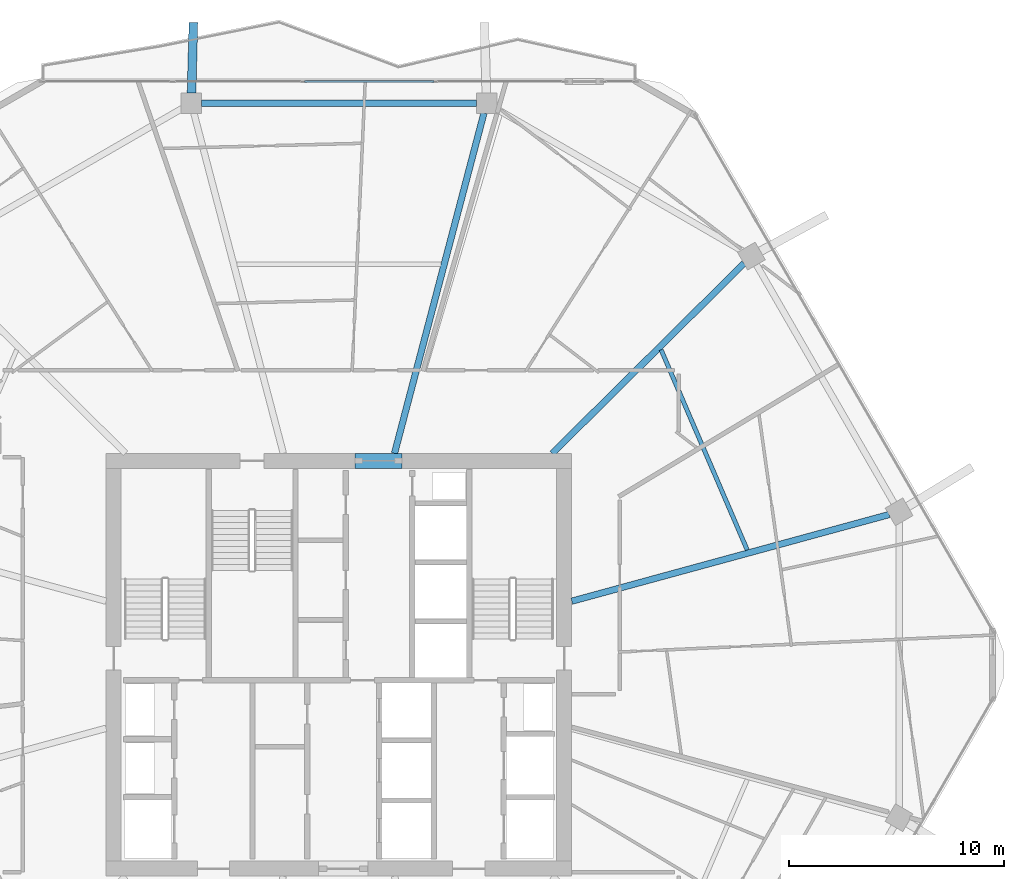
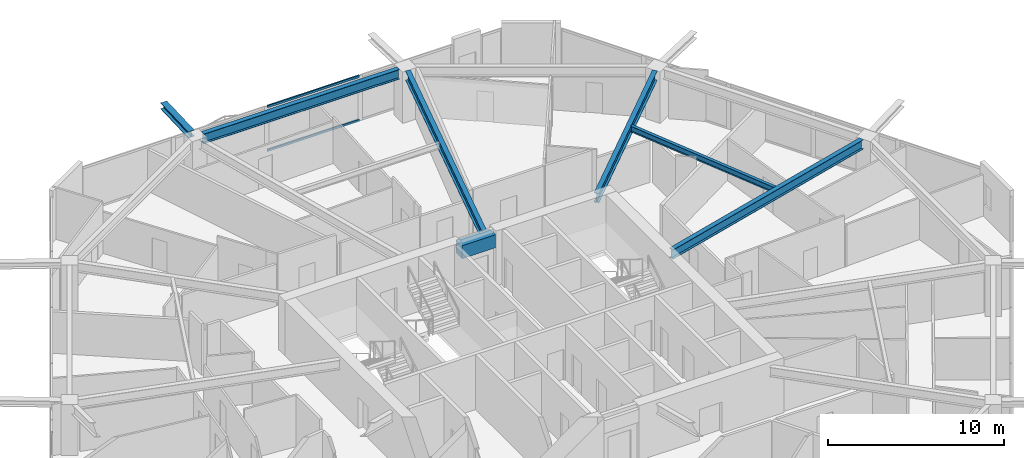
# One storey, part 14 of 25: 7 beams, 2 members, 1 element without a shape of its own.
"""IFC4 building model written with IfcOpenShell, lengths in metres."""

from ifc_helpers import new_model, si_unit, direction, frame, origin, origin_2d, place, context, subcontext, project, spatial, rectangle, hollow_rectangle, i_section, extrude, material, material_profile, profile_set, type_object, element, aggregate, save


model = new_model("IFC4")

# Units and contexts
model_context = context("Model", 3, precision=1e-05, world=origin(), true_north=direction((0.0, 1.0)))
body_context = subcontext(model_context, "Body", "Model", "MODEL_VIEW")
ifc_project = project(units=[si_unit("LENGTHUNIT", "METRE"), si_unit("AREAUNIT", "SQUARE_METRE"), si_unit("VOLUMEUNIT", "CUBIC_METRE"), si_unit("PLANEANGLEUNIT", "RADIAN"), si_unit("MASSUNIT", "GRAM", prefix="KILO")], contexts=[model_context])

# Site, building, storey
site_placement = place(None, origin())
site = spatial("IfcSite", under=ifc_project, at=site_placement, CompositionType="ELEMENT")
building_placement = place(site_placement, origin())
building = spatial("IfcBuilding", under=site, at=building_placement, Name="Zuhravey Tower", CompositionType="ELEMENT")
storey_placement = place(building_placement, frame((0.0, 0.0, 196.0)))
storey = spatial("IfcBuildingStorey", under=building, at=storey_placement, Name="L49", CompositionType="ELEMENT", Elevation=196.0)

# Beam
ifc_material_1 = material(Name="Concrete C60/75", Category="concrete")
ifc_material_profile_1 = material_profile(ifc_material_1, rectangle(XDim=0.699951171875, YDim=0.89990234375, at=origin_2d()), Name="RC-700x900")
ifc_profile_set_1 = profile_set([ifc_material_profile_1], Name="Concrete C60/75")
beam_type_1 = type_object("IfcBeamType", Name="Core Coupling Beam RC700x900", PredefinedType="LINTEL", material=ifc_profile_set_1)
beam_1_placement = place(storey_placement, frame((36.751953125, 41.5, 3.10009765625), z_axis=(1.0, 0.0, 0.0), x_axis=(0.0, 1.0, 0.0)))
element("IfcBeam", 1, at=beam_1_placement, inside=storey, type_object=beam_type_1, Name="L49 CB1 BM-L49-CB-N", PredefinedType="LINTEL", context=body_context, shape_type="SweptSolid", body=[
    extrude(rectangle(XDim=0.699951171875, YDim=0.89990234375, at=origin_2d()), origin(), (0.0, 0.0, 1.0), 2.196044921875),
])

# Curtain wall, members
ifc_material_2 = material(Name="Thermally broken anodised aluminium", Category="aluminium")
curtain_wall_type = type_object("IfcCurtainWallType", Name="Zone 1-2 Residential Curtain Wall CW3", PredefinedType="NOTDEFINED", material=ifc_material_2)
curtain_wall_placement = place(storey_placement, origin())
curtain_wall = element("IfcCurtainWall", 2, at=curtain_wall_placement, inside=storey, type_object=curtain_wall_type, Name="L49 CW3 CW-L49-F2-1", PredefinedType="NOTDEFINED")
ifc_material_3 = material(Name="Anodised aluminium", Category="aluminium")
ifc_material_profile_2 = material_profile(ifc_material_3, hollow_rectangle(XDim=0.090087890625, YDim=0.14990234375, WallThickness=0.0048828125, at=origin_2d()), Name="ALU-RHS-90x150x5")
ifc_profile_set_2 = profile_set([ifc_material_profile_2], Name="Anodised aluminium")
member_type = type_object("IfcMemberType", Name="Curtain-Wall Transom 90x150", PredefinedType="USERDEFINED", material=ifc_profile_set_2)
member_1_placement = place(storey_placement, frame((34.40380859375, 59.18310546875, 0.044921875), z_axis=(1.0, 0.0, 0.0), x_axis=(0.0, 1.0, 0.0)))
member_1 = element("IfcMember", 3, at=member_1_placement, type_object=member_type, Name="CW3 transom 3.1", ObjectType="TRANSOM", PredefinedType="USERDEFINED", context=body_context, shape_type="SweptSolid", body=[
    extrude(hollow_rectangle(XDim=0.090087890625, YDim=0.14990234375, WallThickness=0.0048828125, at=origin_2d()), origin(), (0.0, 0.0, 1.0), 6.02001953125),
])
member_2_placement = place(storey_placement, frame((34.40380859375, 59.18310546875, 3.076904296875), z_axis=(1.0, 0.0, 0.0), x_axis=(0.0, 1.0, 0.0)))
member_2 = element("IfcMember", 4, at=member_2_placement, type_object=member_type, Name="CW3 transom 3.2", ObjectType="TRANSOM", PredefinedType="USERDEFINED", context=body_context, shape_type="SweptSolid", body=[
    extrude(hollow_rectangle(XDim=0.090087890625, YDim=0.14990234375, WallThickness=0.0048828125, at=origin_2d()), origin(), (0.0, 0.0, 1.0), 6.02001953125),
])
aggregate(curtain_wall, [member_1, member_2])

# Beams
ifc_material_4 = material(Name="Steel SM460", Category="steel")
ifc_material_profile_3 = material_profile(ifc_material_4, i_section(OverallWidth=0.406982421875, OverallDepth=0.427978515625, WebThickness=0.02001953125, FlangeThickness=0.034912109375, at=origin_2d()), Name="H-428x407x20x35")
ifc_profile_set_3 = profile_set([ifc_material_profile_3], Name="Steel SM460")
beam_type_2 = type_object("IfcBeamType", Name="Exoskeleton Node Tie Beam H428x407", PredefinedType="BEAM", material=ifc_profile_set_3)
beam_2_placement = place(storey_placement, frame((29.130859375, 58.652099609375, 3.3359375), z_axis=(0.026743542408, 0.999642327505, 0.0), x_axis=(-0.999642327505, 0.026743542408, 0.0)))
element("IfcBeam", 5, at=beam_2_placement, inside=storey, type_object=beam_type_2, Name="L49 Exoskeleton Node Tie NT1-04", PredefinedType="BEAM", context=body_context, shape_type="SweptSolid", body=[
    extrude(i_section(OverallWidth=0.406982421875, OverallDepth=0.427978515625, WebThickness=0.02001953125, FlangeThickness=0.034912109375, at=origin_2d()), origin(), (0.0, 0.0, 1.0), 3.27734375),
])
ifc_material_5 = material(Name="Steel SM355", Category="steel")
ifc_material_profile_4 = material_profile(ifc_material_5, i_section(OverallWidth=0.300048828125, OverallDepth=0.679931640625, WebThickness=0.012939453125, FlangeThickness=0.02197265625, at=origin_2d()), Name="H-680x300x13x22")
ifc_profile_set_4 = profile_set([ifc_material_profile_4], Name="Steel SM355")
beam_type_3 = type_object("IfcBeamType", Name="Perimeter Ring Beam H680x300", PredefinedType="BEAM", material=ifc_profile_set_4)
beam_3_placement = place(storey_placement, frame((42.404052734375, 58.173095703125, 3.2099609375), z_axis=(-1.0, 0.0, 0.0), x_axis=(0.0, -1.0, 0.0)))
element("IfcBeam", 6, at=beam_3_placement, inside=storey, type_object=beam_type_3, Name="L49 PB2 BM-L49-PB-03", PredefinedType="BEAM", context=body_context, shape_type="SweptSolid", body=[
    extrude(i_section(OverallWidth=0.300048828125, OverallDepth=0.679931640625, WebThickness=0.012939453125, FlangeThickness=0.02197265625, at=origin_2d()), origin(), (0.0, 0.0, 1.0), 12.80810546875),
])
ifc_material_profile_5 = material_profile(ifc_material_5, i_section(OverallWidth=0.300048828125, OverallDepth=0.64990234375, WebThickness=0.012939453125, FlangeThickness=0.02197265625, at=origin_2d()), Name="H-650x300x13x22")
ifc_profile_set_5 = profile_set([ifc_material_profile_5], Name="Steel SM355")
beam_type_4 = type_object("IfcBeamType", Name="Radial Primary Girder H650x300", PredefinedType="BEAM", material=ifc_profile_set_5)
beam_4_placement = place(storey_placement, frame((46.85302734375, 34.96240234375, 3.22509765625), z_axis=(0.964701703464, 0.263345065139, 0.0), x_axis=(-0.263345065139, 0.964701703464, 0.0)))
element("IfcBeam", 7, at=beam_4_placement, inside=storey, type_object=beam_type_4, Name="L49 RG2 BM-L49-RAD-01", PredefinedType="BEAM", context=body_context, shape_type="SweptSolid", body=[
    extrude(i_section(OverallWidth=0.300048828125, OverallDepth=0.64990234375, WebThickness=0.012939453125, FlangeThickness=0.02197265625, at=origin_2d()), origin(), (0.0, 0.0, 1.0), 15.334716796875),
])
beam_5_placement = place(storey_placement, frame((45.945556640625, 41.85302734375, 3.22509765625), z_axis=(0.710406645816, 0.703791444663, 0.0), x_axis=(-0.703791444663, 0.710406645816, 0.0)))
element("IfcBeam", 8, at=beam_5_placement, inside=storey, type_object=beam_type_4, Name="L49 RG2 BM-L49-RAD-02", PredefinedType="BEAM", context=body_context, shape_type="SweptSolid", body=[
    extrude(i_section(OverallWidth=0.300048828125, OverallDepth=0.64990234375, WebThickness=0.012939453125, FlangeThickness=0.02197265625, at=origin_2d()), origin(), (0.0, 0.0, 1.0), 12.5849609375),
])
beam_6_placement = place(storey_placement, frame((38.5908203125, 41.85302734375, 3.22509765625), z_axis=(0.254299806285, 0.967125435775, 0.0), x_axis=(-0.967125435775, 0.254299806285, 0.0)))
element("IfcBeam", 9, at=beam_6_placement, inside=storey, type_object=beam_type_4, Name="L49 RG2 BM-L49-RAD-03", PredefinedType="BEAM", context=body_context, shape_type="SweptSolid", body=[
    extrude(i_section(OverallWidth=0.300048828125, OverallDepth=0.64990234375, WebThickness=0.012939453125, FlangeThickness=0.02197265625, at=origin_2d()), origin(), (0.0, 0.0, 1.0), 16.396728515625),
])
ifc_material_profile_6 = material_profile(ifc_material_5, i_section(OverallWidth=0.199951171875, OverallDepth=0.39990234375, WebThickness=0.008056640625, FlangeThickness=0.012939453125, at=origin_2d()), Name="H-400x200x8x13")
ifc_profile_set_6 = profile_set([ifc_material_profile_6], Name="Steel SM355")
beam_type_5 = type_object("IfcBeamType", Name="Secondary Floor Joist H400x200", PredefinedType="JOIST", material=ifc_profile_set_6)
beam_7_placement = place(storey_placement, frame((55.029541015625, 37.3525390625, 3.35009765625), z_axis=(-0.395265853487, 0.918566766799, 0.0), x_axis=(-0.918566766799, -0.395265853487, 0.0)))
element("IfcBeam", 10, at=beam_7_placement, inside=storey, type_object=beam_type_5, Name="L49 SJ2 BM-L49-SJ-01-1", PredefinedType="JOIST", context=body_context, shape_type="SweptSolid", body=[
    extrude(i_section(OverallWidth=0.199951171875, OverallDepth=0.39990234375, WebThickness=0.008056640625, FlangeThickness=0.012939453125, at=origin_2d()), origin(), (0.0, 0.0, 1.0), 10.150146484375),
])

save(model, "model.ifc")
